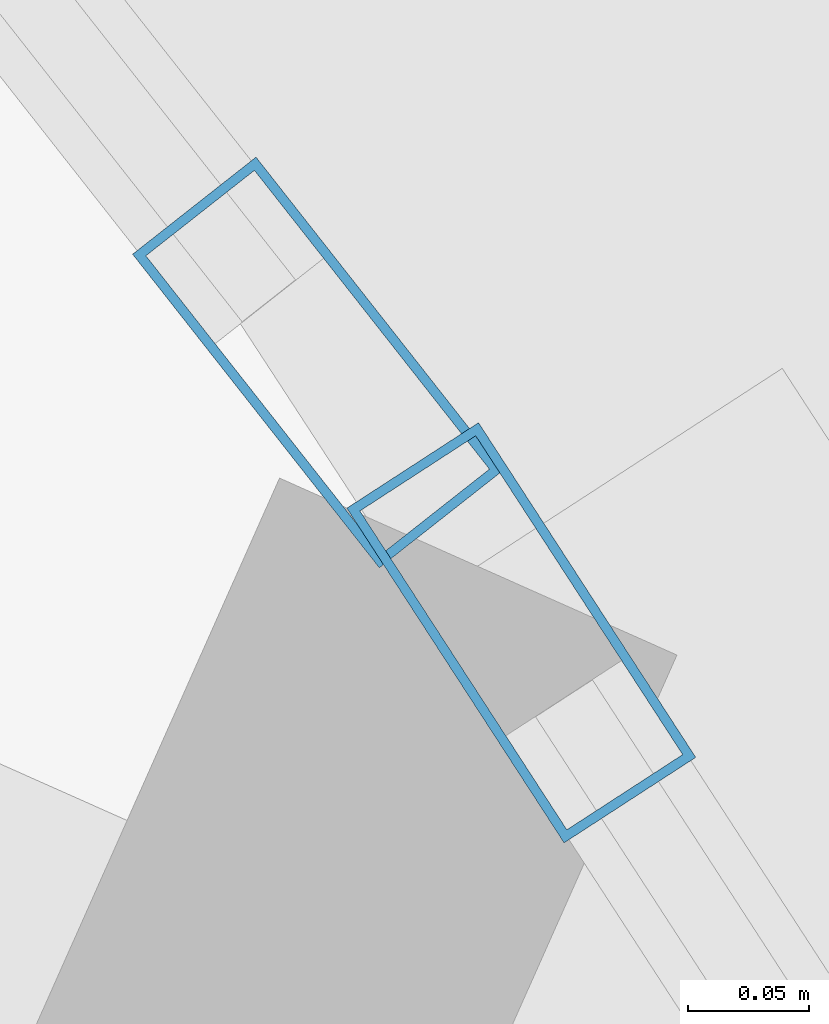
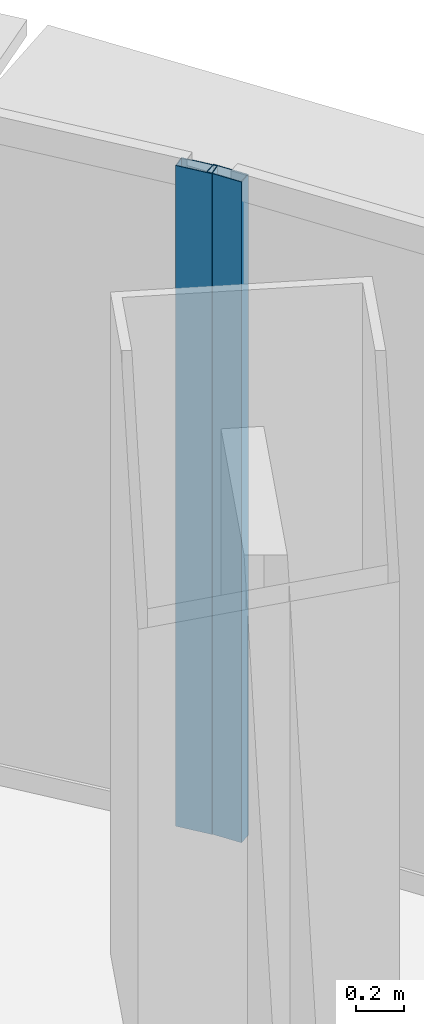
# One storey, part 20 of 37: 2 members, 2 elements without a shape of their own.
"""IFC4 building model written with IfcOpenShell, lengths in metres."""

import ifcopenshell
import ifcopenshell.guid

model = None  # the IFC model being written
_history = None  # IfcOwnerHistory: only IFC2X3 demands one
_inside = {}  # id of a spatial element -> (the spatial element, [elements in it])
_under = {}  # id of a project, library or spatial element -> (it, [spatial elements below it])
_declared = {}  # id of a project -> (the project, [libraries it declares])
_typed = {}  # id of a type object -> (the type object, [elements of that type])
_made_of = {}  # id of a material, layer set ... -> (it, [elements and type objects made of it])


def new_model(schema):
    """Start an empty IFC model of exactly this schema.

    Asked for "IFC4X3", IfcOpenShell would pick the latest addendum, in which some entities
    have other attributes; the version numbers below select the first issue.
    IFC2X3 requires an IfcOwnerHistory on every rooted entity: one is made here for all.
    """
    global model, _history
    if schema == "IFC4X3":
        model = ifcopenshell.file(schema_version=(4, 3, 0, 0))
    else:
        model = ifcopenshell.file(schema=schema)
    _inside.clear()
    _under.clear()
    _declared.clear()
    _typed.clear()
    _made_of.clear()
    _history = None
    if model.schema == "IFC2X3":
        org = make("IfcOrganization", Name="unknown")
        user = make(
            "IfcPersonAndOrganization",
            ThePerson=make("IfcPerson", FamilyName="unknown"),
            TheOrganization=org,
        )
        app = make(
            "IfcApplication",
            ApplicationDeveloper=org,
            Version="unknown",
            ApplicationFullName="unknown",
            ApplicationIdentifier="unknown",
        )
        _history = make(
            "IfcOwnerHistory",
            OwningUser=user,
            OwningApplication=app,
            ChangeAction="ADDED",
            CreationDate=0,
        )
    return model


def make(cls, **values):
    """One entity of the class cls with the attributes given. An attribute that is None is left unset."""
    return model.create_entity(
        cls, **{name: value for name, value in values.items() if value is not None}
    )


def rooted(cls, **values):
    """An entity with a GlobalId (a new one), such as an element, a storey or a relation."""
    return make(cls, GlobalId=ifcopenshell.guid.new(), OwnerHistory=_history, **values)


def si_unit(unit_type, name, prefix=None):
    """IfcSIUnit, for example si_unit("LENGTHUNIT", "METRE", prefix="MILLI")."""
    return make("IfcSIUnit", UnitType=unit_type, Prefix=prefix, Name=name)


def assignment(units):
    """IfcUnitAssignment: the units of a project."""
    return None if units is None else make("IfcUnitAssignment", Units=units)


def point(xyz):
    """IfcCartesianPoint."""
    return None if xyz is None else make("IfcCartesianPoint", Coordinates=xyz)


def direction(xyz):
    """IfcDirection."""
    return None if xyz is None else make("IfcDirection", DirectionRatios=xyz)


def frame(location, z_axis=None, x_axis=None):
    """IfcAxis2Placement3D, a coordinate frame: its origin and axes. An axis left out is left unset."""
    return make(
        "IfcAxis2Placement3D",
        Location=point(location),
        Axis=direction(z_axis),
        RefDirection=direction(x_axis),
    )


def frame_2d(location, x_axis=None):
    """IfcAxis2Placement2D, a coordinate frame in the plane: its origin and x axis."""
    return make(
        "IfcAxis2Placement2D", Location=point(location), RefDirection=direction(x_axis)
    )


def origin():
    """The frame at (0, 0, 0) with its axes left unset."""
    return frame((0.0, 0.0, 0.0))


def origin_2d():
    """The frame at (0, 0) in the plane with its x axis left unset."""
    return frame_2d((0.0, 0.0))


def place(relative_to, where):
    """IfcLocalPlacement: puts the frame where relative to a parent placement (None: the world)."""
    return make(
        "IfcLocalPlacement", PlacementRelTo=relative_to, RelativePlacement=where
    )


def context(
    kind, dimensions, precision=None, world=None, true_north=None, identifier=None
):
    """IfcGeometricRepresentationContext, for example the 3D "Model" context."""
    return make(
        "IfcGeometricRepresentationContext",
        ContextIdentifier=identifier,
        ContextType=kind,
        CoordinateSpaceDimension=dimensions,
        Precision=precision,
        WorldCoordinateSystem=world,
        TrueNorth=true_north,
    )


def subcontext(parent, identifier, kind, view, scale=None):
    """IfcGeometricRepresentationSubContext, for example "Body" below "Model"."""
    return make(
        "IfcGeometricRepresentationSubContext",
        ContextIdentifier=identifier,
        ContextType=kind,
        ParentContext=parent,
        TargetScale=scale,
        TargetView=view,
    )


def project(units=None, contexts=None):
    """IfcProject with its units and contexts."""
    return rooted(
        "IfcProject",
        Name="project",
        RepresentationContexts=contexts,
        UnitsInContext=assignment(units),
    )


def spatial(cls, under=None, at=None, **own):
    """A site, building, storey or space (cls), placed at a placement, below another one or the project."""
    s = rooted(cls, ObjectPlacement=at, **own)
    if under is not None:
        _under.setdefault(under.id(), (under, []))[1].append(s)
    return s


def profile(cls, at=None, kind="AREA", **sizes):
    """A parametric profile (cls). Its sizes go by their IFC names, for example OverallWidth=200.0."""
    return make(cls, ProfileType=kind, Position=at, **sizes)


def hollow_rectangle(**sizes):
    """IfcRectangleHollowProfileDef."""
    return profile("IfcRectangleHollowProfileDef", **sizes)


def extrude(swept, where, along, depth):
    """IfcExtrudedAreaSolid: the profile swept, set in the frame where, extruded along a direction by depth."""
    return make(
        "IfcExtrudedAreaSolid",
        SweptArea=swept,
        Position=where,
        ExtrudedDirection=direction(along),
        Depth=depth,
    )


def shape(context_of_items, identifier, shape_type, items):
    """IfcShapeRepresentation: the items that make up one representation, for example the "Body"."""
    return make(
        "IfcShapeRepresentation",
        ContextOfItems=context_of_items,
        RepresentationIdentifier=identifier,
        RepresentationType=shape_type,
        Items=items,
    )


def source(mapping_origin, context_of_items, identifier, shape_type, items):
    """IfcRepresentationMap: a shape defined once, which mapped items show again and again."""
    return make(
        "IfcRepresentationMap",
        MappingOrigin=mapping_origin,
        MappedRepresentation=shape(context_of_items, identifier, shape_type, items),
    )


def transform(
    local_origin,
    x_axis=None,
    y_axis=None,
    z_axis=None,
    scale=None,
    scale2=None,
    scale3=None,
    uniform=True,
):
    """IfcCartesianTransformationOperator3D, or its non-uniform kind. x_axis, y_axis, z_axis: its Axis1, 2, 3."""
    if uniform:
        return make(
            "IfcCartesianTransformationOperator3D",
            Axis1=direction(x_axis),
            Axis2=direction(y_axis),
            LocalOrigin=point(local_origin),
            Scale=scale,
            Axis3=direction(z_axis),
        )
    return make(
        "IfcCartesianTransformationOperator3DnonUniform",
        Axis1=direction(x_axis),
        Axis2=direction(y_axis),
        LocalOrigin=point(local_origin),
        Scale=scale,
        Axis3=direction(z_axis),
        Scale2=scale2,
        Scale3=scale3,
    )


def mapped(mapping_source, mapping_target):
    """IfcMappedItem: shows the shape of a source again, moved by a transform."""
    return make(
        "IfcMappedItem", MappingSource=mapping_source, MappingTarget=mapping_target
    )


def material(Name=None, Category=None):
    """IfcMaterial."""
    return make("IfcMaterial", Name=Name, Category=Category)


def layer(
    of_material, thickness, ventilated=None, Name=None, Category=None, Priority=None
):
    """IfcMaterialLayer: one layer of a wall or slab, of a material (None: an air gap)."""
    return make(
        "IfcMaterialLayer",
        Material=of_material,
        LayerThickness=thickness,
        IsVentilated=ventilated,
        Name=Name,
        Category=Category,
        Priority=Priority,
    )


def layer_set(layers, Name=None):
    """IfcMaterialLayerSet."""
    return make("IfcMaterialLayerSet", MaterialLayers=layers, LayerSetName=Name)


def material_profile(
    of_material, cross_section, Name=None, Category=None, Priority=None
):
    """IfcMaterialProfile: a cross section and its material."""
    return make(
        "IfcMaterialProfile",
        Name=Name,
        Material=of_material,
        Profile=cross_section,
        Priority=Priority,
        Category=Category,
    )


def profile_set(profiles, Name=None, composite=None):
    """IfcMaterialProfileSet."""
    return make(
        "IfcMaterialProfileSet",
        Name=Name,
        MaterialProfiles=profiles,
        CompositeProfile=composite,
    )


def made_of(thing, what):
    """Note that an element or type object is made of a material, layer set ...; save() writes the relation."""
    if what is not None:
        _made_of.setdefault(what.id(), (what, []))[1].append(thing)
    return thing


def type_object(cls, material=None, **own):
    """A type object (cls), such as IfcWallType, which elements share."""
    return made_of(rooted(cls, **own), material)


def element(
    cls,
    number,
    at=None,
    inside=None,
    cuts=None,
    type_object=None,
    material=None,
    context=None,
    identifier="Body",
    shape_type=None,
    held_by="IfcProductDefinitionShape",
    body=None,
    shapes=None,
    **own,
):
    """One element of the class cls, such as IfcWall. Its Tag is "e" and its number.

    at: its placement. inside: the storey or other place that contains it. cuts: it is an
    opening in that element (IfcRelVoidsElement). A single representation is given by context,
    identifier, shape_type and body (its items); several are given by shapes. held_by: the class
    of the entity that holds the representations. save() writes the other relations.
    """
    e = rooted(cls, Tag="e%d" % number, ObjectPlacement=at, **own)
    if body is not None:
        shapes = [shape(context, identifier, shape_type, body)]
    if shapes is not None:
        e.Representation = make(held_by, Representations=shapes)
    if inside is not None:
        _inside.setdefault(inside.id(), (inside, []))[1].append(e)
    if cuts is not None:
        rooted(
            "IfcRelVoidsElement", RelatingBuildingElement=cuts, RelatedOpeningElement=e
        )
    if type_object is not None:
        _typed.setdefault(type_object.id(), (type_object, []))[1].append(e)
    return made_of(e, material)


def aggregate(whole, parts):
    """IfcRelAggregates: a whole, such as a stair, and the parts it consists of."""
    return rooted("IfcRelAggregates", RelatingObject=whole, RelatedObjects=parts)


def save(model, path):
    """Write the relations noted so far, then the file.

    IfcRelAggregates (storeys below a building ...), IfcRelContainedInSpatialStructure (elements
    in a storey), IfcRelDefinesByType, IfcRelAssociatesMaterial and IfcRelDeclares: one each for
    every whole, place, type object, material and project.
    """
    for whole, parts in _under.values():
        aggregate(whole, parts)
    for where, things in _inside.values():
        rooted(
            "IfcRelContainedInSpatialStructure",
            RelatedElements=things,
            RelatingStructure=where,
        )
    for kind, things in _typed.values():
        rooted("IfcRelDefinesByType", RelatedObjects=things, RelatingType=kind)
    for what, things in _made_of.values():
        rooted("IfcRelAssociatesMaterial", RelatedObjects=things, RelatingMaterial=what)
    for by, libraries in _declared.values():
        rooted("IfcRelDeclares", RelatingContext=by, RelatedDefinitions=libraries)
    model.write(path)


model = new_model("IFC4")

# Units and contexts
model_context = context("Model", 3, precision=1e-05, world=origin(), true_north=direction((0.0, 1.0)))
body_context = subcontext(model_context, "Body", "Model", "MODEL_VIEW")
ifc_project = project(units=[si_unit("LENGTHUNIT", "METRE"), si_unit("AREAUNIT", "SQUARE_METRE"), si_unit("VOLUMEUNIT", "CUBIC_METRE"), si_unit("PLANEANGLEUNIT", "RADIAN"), si_unit("MASSUNIT", "GRAM", prefix="KILO"), si_unit("THERMODYNAMICTEMPERATUREUNIT", "KELVIN"), si_unit("POWERUNIT", "WATT")], contexts=[model_context])

# Site, building, storey
site_placement = place(None, origin())
site = spatial("IfcSite", under=ifc_project, at=site_placement, CompositionType="ELEMENT")
building_placement = place(site_placement, origin())
building = spatial("IfcBuilding", under=site, at=building_placement, Name="Yunzhuo Pagoda Commons", CompositionType="ELEMENT")
storey_placement = place(building_placement, frame((0.0, 0.0, 52.179931640625)))
storey = spatial("IfcBuildingStorey", under=building, at=storey_placement, Name="L13", CompositionType="ELEMENT", Elevation=52.179931640625)

# Curtain wall, member
ifc_material = material(Name="Anodized aluminium 6063-T6", Category="aluminium")
ifc_layer = layer(ifc_material, 0.1650390625)
ifc_layer_set = layer_set([ifc_layer], Name="Anodized aluminium 6063-T6")
curtain_wall_type = type_object("IfcCurtainWallType", Name="CW-LOW Low-Zone Ribbon Curtain Wall", PredefinedType="NOTDEFINED", material=ifc_layer_set)
curtain_wall_1_placement = place(storey_placement, origin())
curtain_wall_1 = element("IfcCurtainWall", 1, at=curtain_wall_1_placement, inside=storey, type_object=curtain_wall_type, Name="L13 curtain wall CW-L13-F2B4", PredefinedType="NOTDEFINED")
ifc_material_profile = material_profile(ifc_material, hollow_rectangle(XDim=0.06494140625, YDim=0.1650390625, WallThickness=0.00390625, at=origin_2d()), Name="Anodized aluminium 6063-T6")
ifc_profile_set = profile_set([ifc_material_profile], Name="Anodized aluminium 6063-T6")
member_type = type_object("IfcMemberType", Name="CW-LOW-M Mullion RHS 165x65x4", PredefinedType="MULLION", material=ifc_profile_set)
shared_shape = source(origin(), body_context, "Body", "SweptSolid", [
    extrude(hollow_rectangle(XDim=0.06494140625, YDim=0.1650390625, WallThickness=0.00390625, at=origin_2d()), origin(), (0.0, 0.0, 1.0), 3.3701171875),
])
member_1_placement = place(storey_placement, frame((65.189453125, 72.240966796875, 0.0), z_axis=(0.0, 0.0, 1.0), x_axis=(-0.838776712394, -0.544475552018, 0.0)))
member_1 = element("IfcMember", 2, at=member_1_placement, type_object=member_type, Name="CW mullion 2", PredefinedType="MULLION", context=body_context, shape_type="MappedRepresentation", body=[
    mapped(shared_shape, transform((0.0, 0.0, 0.0), scale=1.0)),
])
aggregate(curtain_wall_1, [member_1])

curtain_wall_2_placement = place(storey_placement, origin())
curtain_wall_2 = element("IfcCurtainWall", 3, at=curtain_wall_2_placement, inside=storey, type_object=curtain_wall_type, Name="L13 curtain wall CW-L13-F2B5", PredefinedType="NOTDEFINED")
member_2_placement = place(storey_placement, frame((65.105224609375, 72.352783203125, 0.0), z_axis=(0.0, 0.0, 1.0), x_axis=(-0.785963833081, -0.618272474794, 0.0)))
member_2 = element("IfcMember", 4, at=member_2_placement, type_object=member_type, Name="CW mullion 1", PredefinedType="MULLION", context=body_context, shape_type="MappedRepresentation", body=[
    mapped(shared_shape, transform((0.0, 0.0, 0.0), scale=1.0)),
])
aggregate(curtain_wall_2, [member_2])

save(model, "model.ifc")
